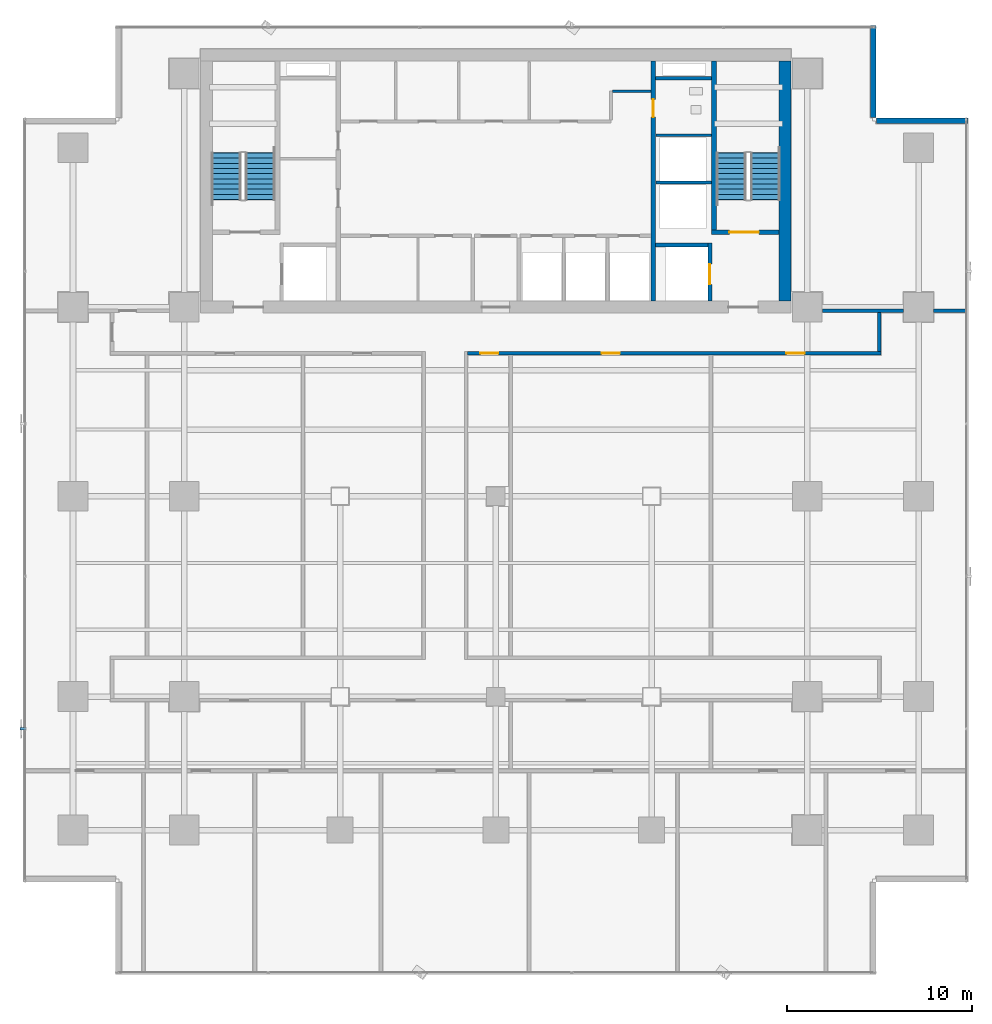
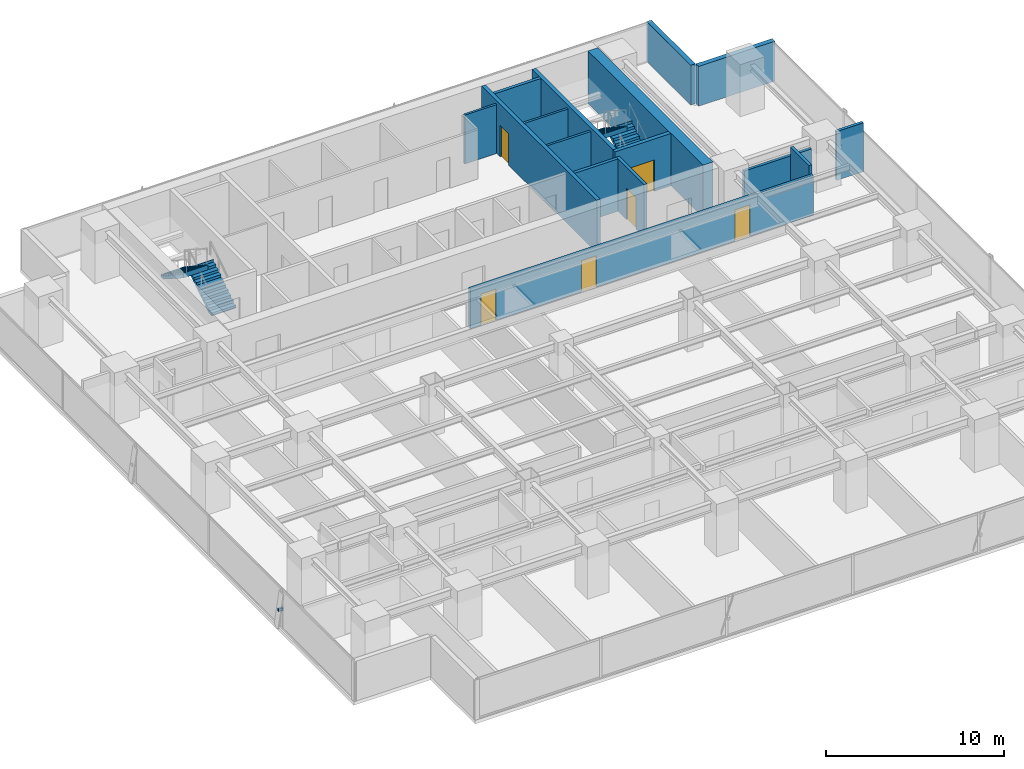
# One storey, part 30 of 37: 16 walls, 6 doors, 4 stair flights, 1 discrete accessory, 6 openings, 2 elements without a shape of their own.
"""IFC4 building model written with IfcOpenShell, lengths in metres."""

from ifc_helpers import new_model, si_unit, direction, frame, frame_2d, origin, origin_2d, place, context, subcontext, project, spatial, polyline, rectangle, outline, extrude, source, transform, mapped, material, layer, layer_set, material_profile, profile_set, type_object, element, fill, aggregate, save


model = new_model("IFC4")

# Units and contexts
model_context = context("Model", 3, precision=1e-05, world=origin(), true_north=direction((0.0, 1.0)))
body_context = subcontext(model_context, "Body", "Model", "MODEL_VIEW")
ifc_project = project(units=[si_unit("LENGTHUNIT", "METRE"), si_unit("AREAUNIT", "SQUARE_METRE"), si_unit("VOLUMEUNIT", "CUBIC_METRE"), si_unit("PLANEANGLEUNIT", "RADIAN"), si_unit("MASSUNIT", "GRAM", prefix="KILO")], contexts=[model_context])

# Site, building, storey
site_placement = place(None, origin())
site = spatial("IfcSite", under=ifc_project, at=site_placement, CompositionType="ELEMENT")
building_placement = place(site_placement, origin())
building = spatial("IfcBuilding", under=site, at=building_placement, Name="Sumidabori Civic Tower", CompositionType="ELEMENT")
storey_placement = place(building_placement, frame((0.0, 0.0, 117.199951171875)))
storey = spatial("IfcBuildingStorey", under=building, at=storey_placement, Name="L30", CompositionType="ELEMENT", Elevation=117.199951171875)

# Walls
ifc_material_1 = material(Name="Concrete C50/60", Category="concrete")
ifc_layer_1 = layer(ifc_material_1, 0.199951171875, Name="Concrete C50/60")
ifc_layer_set_1 = layer_set([ifc_layer_1], Name="Concrete C50/60")
wall_type_1 = type_object("IfcWallType", Name="WL-SHAFT-200", PredefinedType="SHEAR", material=ifc_layer_set_1)
shared_shape_1 = source(origin(), body_context, "Body", "SweptSolid", [
    extrude(rectangle(XDim=2.824951171875, YDim=0.199951171875, at=frame_2d((1.41259765625, 0.0))), origin(), (0.0, 0.0, 1.0), 3.60009765625),
])
wall_1_placement = place(storey_placement, frame((8.625, 13.550048828125, 0.0), z_axis=(0.0, 0.0, 1.0), x_axis=(1.0, 0.0, 0.0)))
element("IfcWall", 1, at=wall_1_placement, inside=storey, type_object=wall_type_1, Name="Core Shear Wall L30 EL2-N", PredefinedType="SHEAR", context=body_context, shape_type="MappedRepresentation", body=[
    mapped(shared_shape_1, transform((0.0, 0.0, 0.0), x_axis=(1.0, 0.0, 0.0), y_axis=(0.0, 1.0, 0.0), z_axis=(0.0, 0.0, 1.0), scale=1.0)),
])
shared_shape_2 = source(origin(), body_context, "Body", "SweptSolid", [
    extrude(rectangle(XDim=3.02001953125, YDim=0.199951171875, at=frame_2d((1.510009765625, 0.0))), origin(), (0.0, 0.0, 1.0), 3.60009765625),
])
wall_2_placement = place(storey_placement, frame((8.625, 22.550048828125, 0.0), z_axis=(0.0, 0.0, 1.0), x_axis=(1.0, 0.0, 0.0)))
element("IfcWall", 2, at=wall_2_placement, inside=storey, type_object=wall_type_1, Name="Core Shear Wall L30 RIS2-S", PredefinedType="SHEAR", context=body_context, shape_type="MappedRepresentation", body=[
    mapped(shared_shape_2, transform((0.0, 0.0, 0.0), x_axis=(1.0, 0.0, 0.0), y_axis=(0.0, 1.0, 0.0), z_axis=(0.0, 0.0, 1.0), scale=1.0)),
])
ifc_material_2 = material(Name="Concrete C60/75", Category="concrete")
ifc_layer_2 = layer(ifc_material_2, 0.64990234375, Name="Concrete C60/75")
ifc_layer_set_2 = layer_set([ifc_layer_2], Name="Concrete C60/75")
wall_type_2 = type_object("IfcWallType", Name="WL-CORE-650", PredefinedType="SHEAR", material=ifc_layer_set_2)
shared_shape_3 = source(origin(), body_context, "Body", "SweptSolid", [
    extrude(rectangle(XDim=12.9501953125, YDim=0.64990234375, at=frame_2d((6.47509765625, 0.0))), origin(), (0.0, 0.0, 1.0), 3.60009765625),
])
wall_3_placement = place(storey_placement, frame((15.60009765625, 10.52490234375, 0.0), z_axis=(0.0, 0.0, 1.0), x_axis=(0.0, 1.0, 0.0)))
element("IfcWall", 3, at=wall_3_placement, inside=storey, type_object=wall_type_2, Name="Core Shear Wall L30 E", PredefinedType="SHEAR", context=body_context, shape_type="MappedRepresentation", body=[
    mapped(shared_shape_3, transform((0.0, 0.0, 0.0), x_axis=(1.0, 0.0, 0.0), y_axis=(0.0, 1.0, 0.0), z_axis=(0.0, 0.0, 1.0), scale=1.0)),
])

# Wall, opening, door
ifc_layer_3 = layer(ifc_material_1, 0.25, Name="Concrete C50/60")
ifc_layer_set_3 = layer_set([ifc_layer_3], Name="Concrete C50/60")
wall_type_3 = type_object("IfcWallType", Name="WL-SHAFT-250", PredefinedType="SHEAR", material=ifc_layer_set_3)
shared_shape_4 = source(origin(), body_context, "Body", "SweptSolid", [
    extrude(rectangle(XDim=12.9501953125, YDim=0.25, at=frame_2d((6.47509765625, 0.0))), origin(), (0.0, 0.0, 1.0), 3.60009765625),
])
wall_4_placement = place(storey_placement, frame((8.5, 10.52490234375, 0.0), z_axis=(0.0, 0.0, 1.0), x_axis=(0.0, 1.0, 0.0)))
wall_4 = element("IfcWall", 4, at=wall_4_placement, inside=storey, type_object=wall_type_3, Name="Core Shear Wall L30 WEB-E", PredefinedType="SHEAR", context=body_context, shape_type="MappedRepresentation", body=[
    mapped(shared_shape_4, transform((0.0, 0.0, 0.0), x_axis=(1.0, 0.0, 0.0), y_axis=(0.0, 1.0, 0.0), z_axis=(0.0, 0.0, 1.0), scale=1.0)),
])
opening_1_placement = place(wall_4_placement, frame((9.925048828125, 0.0, 0.0)))
opening_1 = element("IfcOpeningElement", 5, at=opening_1_placement, cuts=wall_4, Name="Opening DR-2", PredefinedType="OPENING", context=body_context, shape_type="SweptSolid", body=[
    extrude(rectangle(XDim=0.949951171875, YDim=2.14990234375, at=frame_2d((0.47509765625, 1.074951171875))), frame((0.0, 0.136962890625, 0.0), z_axis=(0.0, -1.0, 0.0), x_axis=(1.0, 0.0, 0.0)), (0.0, 0.0, 1.0), 0.27392578125),
])
ifc_material_3 = material(Name="Japanese Hinoki Timber", Category="wood")
door_type_1 = type_object("IfcDoorType", Name="DR-INT-950", OperationType="NOTDEFINED", PredefinedType="DOOR", material=ifc_material_3)
shared_shape_5 = source(origin(), body_context, "Body", "SweptSolid", [
    extrude(rectangle(XDim=0.949951171875, YDim=2.14990234375, at=frame_2d((0.47509765625, 1.074951171875))), frame((0.0, 0.02490234375, 0.0), z_axis=(0.0, -1.0, 0.0), x_axis=(1.0, 0.0, 0.0)), (0.0, 0.0, 1.0), 0.050048828125),
])
door_1_placement = place(opening_1_placement, origin())
door_1 = element("IfcDoor", 6, at=door_1_placement, inside=storey, type_object=door_type_1, Name="Door DR:L30:WC-ACC", OperationType="SINGLE_SWING_RIGHT", OverallHeight=2.14990234375, OverallWidth=0.949951171875, PredefinedType="DOOR", context=body_context, shape_type="MappedRepresentation", body=[
    mapped(shared_shape_5, transform((0.0, 0.0, 0.0), x_axis=(1.0, 0.0, 0.0), y_axis=(0.0, 1.0, 0.0), z_axis=(0.0, 0.0, 1.0), scale=1.0)),
])
fill(opening_1, door_1)

shared_shape_6 = source(origin(), body_context, "Body", "SweptSolid", [
    extrude(rectangle(XDim=3.6298828125, YDim=0.25, at=frame_2d((1.81494140625, 0.0))), origin(), (0.0, 0.0, 1.0), 3.60009765625),
])
wall_5_placement = place(storey_placement, frame((11.64501953125, 14.25, 0.0), z_axis=(0.0, 0.0, 1.0), x_axis=(1.0, 0.0, 0.0)))
wall_5 = element("IfcWall", 7, at=wall_5_placement, inside=storey, type_object=wall_type_3, Name="Core Shear Wall L30 ST2-S", PredefinedType="SHEAR", context=body_context, shape_type="MappedRepresentation", body=[
    mapped(shared_shape_6, transform((0.0, 0.0, 0.0), x_axis=(1.0, 0.0, 0.0), y_axis=(0.0, 1.0, 0.0), z_axis=(0.0, 0.0, 1.0), scale=1.0)),
])
opening_2_placement = place(wall_5_placement, frame((0.949951171875, 0.0, 0.0)))
opening_2 = element("IfcOpeningElement", 8, at=opening_2_placement, cuts=wall_5, Name="Opening DR-FD4", PredefinedType="OPENING", context=body_context, shape_type="SweptSolid", body=[
    extrude(rectangle(XDim=1.60009765625, YDim=2.14990234375, at=frame_2d((0.800048828125, 1.074951171875))), frame((0.0, 0.136962890625, 0.0), z_axis=(0.0, -1.0, 0.0), x_axis=(1.0, 0.0, 0.0)), (0.0, 0.0, 1.0), 0.27392578125),
])
ifc_material_4 = material(Name="Steel SN490", Category="steel")
door_type_2 = type_object("IfcDoorType", Name="DR-FD4", OperationType="DOUBLE_DOOR_SINGLE_SWING", PredefinedType="DOOR", material=ifc_material_4)
shared_shape_7 = source(origin(), body_context, "Body", "SweptSolid", [
    extrude(rectangle(XDim=1.60009765625, YDim=2.14990234375, at=frame_2d((0.800048828125, 1.074951171875))), frame((0.0, 0.02490234375, 0.0), z_axis=(0.0, -1.0, 0.0), x_axis=(1.0, 0.0, 0.0)), (0.0, 0.0, 1.0), 0.050048828125),
])
door_2_placement = place(opening_2_placement, origin())
door_2 = element("IfcDoor", 9, at=door_2_placement, inside=storey, type_object=door_type_2, Name="Door DR:L30:ST2", OperationType="DOUBLE_DOOR_SINGLE_SWING", OverallHeight=2.14990234375, OverallWidth=1.60009765625, PredefinedType="DOOR", context=body_context, shape_type="MappedRepresentation", body=[
    mapped(shared_shape_7, transform((0.0, 0.0, 0.0), x_axis=(1.0, 0.0, 0.0), y_axis=(0.0, 1.0, 0.0), z_axis=(0.0, 0.0, 1.0), scale=1.0)),
])
fill(opening_2, door_2)

# Wall
shared_shape_8 = source(origin(), body_context, "Body", "SweptSolid", [
    extrude(rectangle(XDim=9.10009765625, YDim=0.25, at=frame_2d((4.550048828125, 0.0))), origin(), (0.0, 0.0, 1.0), 3.60009765625),
])
wall_6_placement = place(storey_placement, frame((11.77001953125, 14.375, 0.0), z_axis=(0.0, 0.0, 1.0), x_axis=(0.0, 1.0, 0.0)))
element("IfcWall", 10, at=wall_6_placement, inside=storey, type_object=wall_type_3, Name="Core Shear Wall L30 ST2-W", PredefinedType="SHEAR", context=body_context, shape_type="MappedRepresentation", body=[
    mapped(shared_shape_8, transform((0.0, 0.0, 0.0), x_axis=(1.0, 0.0, 0.0), y_axis=(0.0, 1.0, 0.0), z_axis=(0.0, 0.0, 1.0), scale=1.0)),
])

# Wall, opening, door
shared_shape_9 = source(origin(), body_context, "Body", "SweptSolid", [
    extrude(rectangle(XDim=3.125, YDim=0.199951171875, at=frame_2d((1.5625, 0.0))), origin(), (0.0, 0.0, 1.0), 3.60009765625),
])
wall_7_placement = place(storey_placement, frame((11.550048828125, 10.52490234375, 0.0), z_axis=(0.0, 0.0, 1.0), x_axis=(0.0, 1.0, 0.0)))
wall_7 = element("IfcWall", 11, at=wall_7_placement, inside=storey, type_object=wall_type_1, Name="Core Shear Wall L30 EL2-E", PredefinedType="SHEAR", context=body_context, shape_type="MappedRepresentation", body=[
    mapped(shared_shape_9, transform((0.0, 0.0, 0.0), x_axis=(1.0, 0.0, 0.0), y_axis=(0.0, 1.0, 0.0), z_axis=(0.0, 0.0, 1.0), scale=1.0)),
])
opening_3_placement = place(wall_7_placement, frame((0.89990234375, 0.0, 0.0)))
opening_3 = element("IfcOpeningElement", 12, at=opening_3_placement, cuts=wall_7, Name="Opening LD-2", PredefinedType="OPENING", context=body_context, shape_type="SweptSolid", body=[
    extrude(rectangle(XDim=1.10009765625, YDim=2.14990234375, at=frame_2d((0.550048828125, 1.074951171875))), frame((0.0, 0.11181640625, 0.0), z_axis=(0.0, -1.0, 0.0), x_axis=(1.0, 0.0, 0.0)), (0.0, 0.0, 1.0), 0.223876953125),
])
ifc_material_5 = material(Name="Stainless Steel Hairline Finish", Category="steel")
door_type_3 = type_object("IfcDoorType", Name="DR-LD2", OperationType="DOUBLE_DOOR_SLIDING", PredefinedType="DOOR", material=ifc_material_5)
shared_shape_10 = source(origin(), body_context, "Body", "SweptSolid", [
    extrude(rectangle(XDim=1.10009765625, YDim=2.14990234375, at=frame_2d((0.550048828125, 1.074951171875))), frame((0.0, 0.02490234375, 0.0), z_axis=(0.0, -1.0, 0.0), x_axis=(1.0, 0.0, 0.0)), (0.0, 0.0, 1.0), 0.050048828125),
])
door_3_placement = place(opening_3_placement, origin())
door_3 = element("IfcDoor", 13, at=door_3_placement, inside=storey, type_object=door_type_3, Name="Door DR:L30:LD-EL2", OperationType="DOUBLE_DOOR_SLIDING", OverallHeight=2.14990234375, OverallWidth=1.10009765625, PredefinedType="DOOR", context=body_context, shape_type="MappedRepresentation", body=[
    mapped(shared_shape_10, transform((0.0, 0.0, 0.0), x_axis=(1.0, 0.0, 0.0), y_axis=(0.0, 1.0, 0.0), z_axis=(0.0, 0.0, 1.0), scale=1.0)),
])
fill(opening_3, door_3)

# Walls
ifc_material_6 = material(Name="Precast concrete C40/50", Category="concrete")
ifc_layer_4 = layer(ifc_material_6, 0.300048828125, Name="Precast concrete C40/50")
ifc_layer_set_4 = layer_set([ifc_layer_4], Name="Precast concrete C40/50")
wall_type_4 = type_object("IfcWallType", Name="WL-EXT-POD300", PredefinedType="STANDARD", material=ifc_layer_set_4)
shared_shape_11 = source(origin(), body_context, "Body", "SweptSolid", [
    extrude(rectangle(XDim=4.9599609375, YDim=0.300048828125, at=frame_2d((2.47998046875, 0.0))), origin(), (0.0, 0.0, 1.0), 2.739990234375),
])
for number, where, z_axis, x_axis, name in (
    (14, (25.47998046875, 20.25, 0.0), (0.0, 0.0, 1.0), (-1.0, 0.0, 0.0), "Notched Corner Spandrel Band L30-05"),
    (15, (20.35009765625, 20.419921875, 0.0), (0.0, 0.0, 1.0), (0.0, 1.0, 0.0), "Notched Corner Spandrel Band L30-06"),
):
    element("IfcWall", number, at=place(storey_placement, frame(where, z_axis=z_axis, x_axis=x_axis)), inside=storey, type_object=wall_type_4, Name=name, PredefinedType="STANDARD", context=body_context, shape_type="MappedRepresentation", body=[
        mapped(shared_shape_11, transform((0.0, 0.0, 0.0), x_axis=(1.0, 0.0, 0.0), y_axis=(0.0, 1.0, 0.0), z_axis=(0.0, 0.0, 1.0), scale=1.0)),
    ])
ifc_material_7 = material(Name="Gypsum Plasterboard Acoustic Partition")
ifc_layer_5 = layer(ifc_material_7, 0.14990234375, Name="Gypsum Plasterboard Acoustic Partition")
ifc_layer_set_5 = layer_set([ifc_layer_5], Name="Gypsum Plasterboard Acoustic Partition")
wall_type_5 = type_object("IfcWallType", Name="WL-PART-150", PredefinedType="PARTITIONING", material=ifc_layer_set_5)
shared_shape_12 = source(origin(), body_context, "Body", "SweptSolid", [
    extrude(rectangle(XDim=3.010009765625, YDim=0.14990234375, at=frame_2d((1.5048828125, 0.0))), origin(), (0.0, 0.0, 1.0), 3.360107421875),
])
for number, where, z_axis, x_axis, name in (
    (16, (8.6298828125, 16.919921875, 0.0), (0.0, 0.0, 1.0), (1.0, 0.0, 0.0), "Interior Partition WL:L30:DIV-OBS1"),
    (17, (8.6298828125, 19.469970703125, 0.0), (0.0, 0.0, 1.0), (1.0, 0.0, 0.0), "Interior Partition WL:L30:DIV-OBS2"),
):
    element("IfcWall", number, at=place(storey_placement, frame(where, z_axis=z_axis, x_axis=x_axis)), inside=storey, type_object=wall_type_5, Name=name, PredefinedType="PARTITIONING", context=body_context, shape_type="MappedRepresentation", body=[
        mapped(shared_shape_12, transform((0.0, 0.0, 0.0), x_axis=(1.0, 0.0, 0.0), y_axis=(0.0, 1.0, 0.0), z_axis=(0.0, 0.0, 1.0), scale=1.0)),
    ])
shared_shape_13 = source(origin(), body_context, "Body", "SweptSolid", [
    extrude(rectangle(XDim=2.070068359375, YDim=0.14990234375, at=frame_2d((1.03515625, 0.0))), origin(), (0.0, 0.0, 1.0), 3.360107421875),
])
wall_8_placement = place(storey_placement, frame((6.300048828125, 21.85009765625, 0.0), z_axis=(0.0, 0.0, 1.0), x_axis=(1.0, 0.0, 0.0)))
element("IfcWall", 18, at=wall_8_placement, inside=storey, type_object=wall_type_5, Name="Interior Partition WL:L30:CBAND-ME2", PredefinedType="PARTITIONING", context=body_context, shape_type="MappedRepresentation", body=[
    mapped(shared_shape_13, transform((0.0, 0.0, 0.0), x_axis=(1.0, 0.0, 0.0), y_axis=(0.0, 1.0, 0.0), z_axis=(0.0, 0.0, 1.0), scale=1.0)),
])
ifc_layer_6 = layer(ifc_material_7, 0.179931640625, Name="Gypsum Plasterboard Acoustic Partition")
ifc_layer_set_6 = layer_set([ifc_layer_6], Name="Gypsum Plasterboard Acoustic Partition")
wall_type_6 = type_object("IfcWallType", Name="WL-PART-180", PredefinedType="PARTITIONING", material=ifc_layer_set_6)
shared_shape_14 = source(origin(), body_context, "Body", "SweptSolid", [
    extrude(rectangle(XDim=1.739990234375, YDim=0.179931640625, at=frame_2d((0.8701171875, 0.0))), origin(), (0.0, 0.0, 1.0), 3.360107421875),
])
wall_9_placement = place(storey_placement, frame((23.610107421875, 10.0, 0.0), z_axis=(0.0, 0.0, 1.0), x_axis=(1.0, 0.0, 0.0)))
element("IfcWall", 19, at=wall_9_placement, inside=storey, type_object=wall_type_6, Name="Interior Partition WL:L30:FLK-NE-2", PredefinedType="PARTITIONING", context=body_context, shape_type="MappedRepresentation", body=[
    mapped(shared_shape_14, transform((0.0, 0.0, 0.0), x_axis=(1.0, 0.0, 0.0), y_axis=(0.0, 1.0, 0.0), z_axis=(0.0, 0.0, 1.0), scale=1.0)),
])
shared_shape_15 = source(origin(), body_context, "Body", "SweptSolid", [
    extrude(rectangle(XDim=4.3798828125, YDim=0.179931640625, at=frame_2d((2.18994140625, 0.0))), origin(), (0.0, 0.0, 1.0), 2.7451171875),
])
wall_10_placement = place(storey_placement, frame((17.610107421875, 10.0, 0.0), z_axis=(0.0, 0.0, 1.0), x_axis=(1.0, 0.0, 0.0)))
element("IfcWall", 20, at=wall_10_placement, inside=storey, type_object=wall_type_6, Name="Interior Partition WL:L30:FLK-NE-1", PredefinedType="PARTITIONING", context=body_context, shape_type="MappedRepresentation", body=[
    mapped(shared_shape_15, transform((0.0, 0.0, 0.0), x_axis=(1.0, 0.0, 0.0), y_axis=(0.0, 1.0, 0.0), z_axis=(0.0, 0.0, 1.0), scale=1.0)),
])

# Wall, openings, doors
shared_shape_16 = source(origin(), body_context, "Body", "SweptSolid", [
    extrude(rectangle(XDim=22.300048828125, YDim=0.179931640625, at=frame_2d((11.14990234375, 0.0))), origin(), (0.0, 0.0, 1.0), 2.7451171875),
])
wall_11_placement = place(storey_placement, frame((-1.52001953125, 7.7099609375, 0.0), z_axis=(0.0, 0.0, 1.0), x_axis=(1.0, 0.0, 0.0)))
wall_11 = element("IfcWall", 21, at=wall_11_placement, inside=storey, type_object=wall_type_6, Name="Interior Partition WL:L30:CORR-SE", PredefinedType="PARTITIONING", context=body_context, shape_type="MappedRepresentation", body=[
    mapped(shared_shape_16, transform((0.0, 0.0, 0.0), x_axis=(1.0, 0.0, 0.0), y_axis=(0.0, 1.0, 0.0), z_axis=(0.0, 0.0, 1.0), scale=1.0)),
])
opening_4_placement = place(wall_11_placement, frame((0.68505859375, 0.0, 0.0)))
opening_4 = element("IfcOpeningElement", 22, at=opening_4_placement, cuts=wall_11, Name="Opening DR-3", PredefinedType="OPENING", context=body_context, shape_type="SweptSolid", body=[
    extrude(rectangle(XDim=0.97998046875, YDim=2.14990234375, at=frame_2d((0.489990234375, 1.074951171875))), frame((0.0, 0.10205078125, 0.0), z_axis=(0.0, -1.0, 0.0), x_axis=(1.0, 0.0, 0.0)), (0.0, 0.0, 1.0), 0.203857421875),
])
opening_5_placement = place(wall_11_placement, frame((7.22998046875, 0.0, 0.0)))
opening_5 = element("IfcOpeningElement", 23, at=opening_5_placement, cuts=wall_11, Name="Opening DR-3", PredefinedType="OPENING", context=body_context, shape_type="SweptSolid", body=[
    extrude(rectangle(XDim=0.97998046875, YDim=2.14990234375, at=frame_2d((0.489990234375, 1.074951171875))), frame((0.0, 0.10205078125, 0.0), z_axis=(0.0, -1.0, 0.0), x_axis=(1.0, 0.0, 0.0)), (0.0, 0.0, 1.0), 0.203857421875),
])
opening_6_placement = place(wall_11_placement, frame((17.195068359375, 0.0, 0.0)))
opening_6 = element("IfcOpeningElement", 24, at=opening_6_placement, cuts=wall_11, Name="Opening DR-3", PredefinedType="OPENING", context=body_context, shape_type="SweptSolid", body=[
    extrude(rectangle(XDim=0.97998046875, YDim=2.14990234375, at=frame_2d((0.489990234375, 1.074951171875))), frame((0.0, 0.10205078125, 0.0), z_axis=(0.0, -1.0, 0.0), x_axis=(1.0, 0.0, 0.0)), (0.0, 0.0, 1.0), 0.203857421875),
])
door_type_4 = type_object("IfcDoorType", Name="DR-INT-980", OperationType="NOTDEFINED", PredefinedType="DOOR", material=ifc_material_3)
shared_shape_17 = source(origin(), body_context, "Body", "SweptSolid", [
    extrude(rectangle(XDim=0.97998046875, YDim=2.14990234375, at=frame_2d((0.489990234375, 1.074951171875))), frame((0.0, 0.02490234375, 0.0), z_axis=(0.0, -1.0, 0.0), x_axis=(1.0, 0.0, 0.0)), (0.0, 0.0, 1.0), 0.050048828125),
])
door_4_placement = place(opening_4_placement, origin())
door_4 = element("IfcDoor", 25, at=door_4_placement, inside=storey, type_object=door_type_4, Name="Door DR:L30:D04", OperationType="SINGLE_SWING_RIGHT", OverallHeight=2.14990234375, OverallWidth=0.97998046875, PredefinedType="DOOR", context=body_context, shape_type="MappedRepresentation", body=[
    mapped(shared_shape_17, transform((0.0, 0.0, 0.0), x_axis=(1.0, 0.0, 0.0), y_axis=(0.0, 1.0, 0.0), z_axis=(0.0, 0.0, 1.0), scale=1.0)),
])
fill(opening_4, door_4)
door_5_placement = place(opening_5_placement, origin())
door_5 = element("IfcDoor", 26, at=door_5_placement, inside=storey, type_object=door_type_4, Name="Door DR:L30:D05", OperationType="SINGLE_SWING_LEFT", OverallHeight=2.14990234375, OverallWidth=0.97998046875, PredefinedType="DOOR", context=body_context, shape_type="MappedRepresentation", body=[
    mapped(shared_shape_17, transform((0.0, 0.0, 0.0), x_axis=(1.0, 0.0, 0.0), y_axis=(0.0, 1.0, 0.0), z_axis=(0.0, 0.0, 1.0), scale=1.0)),
])
fill(opening_5, door_5)
door_6_placement = place(opening_6_placement, origin())
door_6 = element("IfcDoor", 27, at=door_6_placement, inside=storey, type_object=door_type_4, Name="Door DR:L30:D07", OperationType="SINGLE_SWING_LEFT", OverallHeight=2.14990234375, OverallWidth=0.97998046875, PredefinedType="DOOR", context=body_context, shape_type="MappedRepresentation", body=[
    mapped(shared_shape_17, transform((0.0, 0.0, 0.0), x_axis=(1.0, 0.0, 0.0), y_axis=(0.0, 1.0, 0.0), z_axis=(0.0, 0.0, 1.0), scale=1.0)),
])
fill(opening_6, door_6)

# Wall
shared_shape_18 = source(origin(), body_context, "Body", "SweptSolid", [
    extrude(rectangle(XDim=2.10009765625, YDim=0.179931640625, at=frame_2d((1.050048828125, 0.0))), origin(), (0.0, 0.0, 1.0), 3.360107421875),
])
wall_12_placement = place(storey_placement, frame((20.68994140625, 7.804931640625, 0.0), z_axis=(0.0, 0.0, 1.0), x_axis=(0.0, 1.0, 0.0)))
element("IfcWall", 28, at=wall_12_placement, inside=storey, type_object=wall_type_6, Name="Interior Partition WL:L30:CORR-VNE", PredefinedType="PARTITIONING", context=body_context, shape_type="MappedRepresentation", body=[
    mapped(shared_shape_18, transform((0.0, 0.0, 0.0), x_axis=(1.0, 0.0, 0.0), y_axis=(0.0, 1.0, 0.0), z_axis=(0.0, 0.0, 1.0), scale=1.0)),
])

# Stair, stair flights
ifc_material_8 = material(Name="Concrete C40/50", Category="concrete")
stair_type = type_object("IfcStairType", Name="ST-CORE-1600", PredefinedType="HALF_TURN_STAIR", material=ifc_material_8)
stair_1_placement = place(storey_placement, origin())
stair_1 = element("IfcStair", 29, at=stair_1_placement, inside=storey, type_object=stair_type, Name="L30 ST-1", PredefinedType="HALF_TURN_STAIR")
stair_flight_type = type_object("IfcStairFlightType", Name="SF-CORE-1600", PredefinedType="STRAIGHT", material=ifc_material_8)
shared_shape_19 = source(origin(), body_context, "Body", "SweptSolid", [
    extrude(outline(polyline([(-0.02490234375, 0.0), (-0.02490234375, 0.0400390625), (0.0, 0.0400390625), (0.0, 0.179931640625), (0.280029296875, 0.179931640625), (0.280029296875, 0.360107421875), (0.56005859375, 0.360107421875), (0.56005859375, 0.5400390625), (0.840087890625, 0.5400390625), (0.840087890625, 0.719970703125), (1.1201171875, 0.719970703125), (1.1201171875, 0.89990234375), (1.39990234375, 0.89990234375), (1.39990234375, 1.080078125), (1.679931640625, 1.080078125), (1.679931640625, 1.260009765625), (1.9599609375, 1.260009765625), (1.9599609375, 1.43994140625), (2.239990234375, 1.43994140625), (2.239990234375, 1.6201171875), (2.52001953125, 1.6201171875), (2.52001953125, 1.800048828125), (2.544921875, 1.800048828125), (2.544921875, 1.650146484375), (2.52001953125, 1.44189453125), (0.277099609375, 0.0), (-0.02490234375, 0.0)])), frame((0.0, 0.800048828125, 0.0), z_axis=(0.0, -1.0, 0.0), x_axis=(1.0, 0.0, 0.0)), (0.0, 0.0, 1.0), 1.60009765625),
])
stair_flight_1_placement = place(storey_placement, frame((-12.699951171875, 16.0, 0.0), z_axis=(0.0, 0.0, 1.0), x_axis=(0.0, 1.0, 0.0)))
stair_flight_1 = element("IfcStairFlight", 30, at=stair_flight_1_placement, type_object=stair_flight_type, Name="ST-1 flight 1", NumberOfRisers=10, NumberOfTreads=9, PredefinedType="STRAIGHT", RiserHeight=0.18, TreadLength=0.28, context=body_context, shape_type="MappedRepresentation", body=[
    mapped(shared_shape_19, transform((0.0, 0.0, 0.0), x_axis=(1.0, 0.0, 0.0), y_axis=(0.0, 1.0, 0.0), z_axis=(0.0, 0.0, 1.0), scale=1.0)),
])
stair_flight_2_placement = place(storey_placement, frame((-14.5400390625, 18.52001953125, 1.800048828125), z_axis=(0.0, 0.0, 1.0), x_axis=(0.0, -1.0, 0.0)))
stair_flight_2 = element("IfcStairFlight", 31, at=stair_flight_2_placement, type_object=stair_flight_type, Name="ST-1 flight 2", NumberOfRisers=10, NumberOfTreads=9, PredefinedType="STRAIGHT", RiserHeight=0.18, TreadLength=0.28, context=body_context, shape_type="MappedRepresentation", body=[
    mapped(shared_shape_19, transform((0.0, 0.0, 0.0), x_axis=(1.0, 0.0, 0.0), y_axis=(0.0, 1.0, 0.0), z_axis=(0.0, 0.0, 1.0), scale=1.0)),
])
aggregate(stair_1, [stair_flight_1, stair_flight_2])

stair_2_placement = place(storey_placement, origin())
stair_2 = element("IfcStair", 32, at=stair_2_placement, inside=storey, type_object=stair_type, Name="L30 ST-2", PredefinedType="HALF_TURN_STAIR")
stair_flight_3_placement = place(storey_placement, frame((14.5400390625, 16.0, 0.0), z_axis=(0.0, 0.0, 1.0), x_axis=(0.0, 1.0, 0.0)))
stair_flight_3 = element("IfcStairFlight", 33, at=stair_flight_3_placement, type_object=stair_flight_type, Name="ST-2 flight 1", NumberOfRisers=10, NumberOfTreads=9, PredefinedType="STRAIGHT", RiserHeight=0.18, TreadLength=0.28, context=body_context, shape_type="MappedRepresentation", body=[
    mapped(shared_shape_19, transform((0.0, 0.0, 0.0), x_axis=(1.0, 0.0, 0.0), y_axis=(0.0, 1.0, 0.0), z_axis=(0.0, 0.0, 1.0), scale=1.0)),
])
stair_flight_4_placement = place(storey_placement, frame((12.699951171875, 18.52001953125, 1.800048828125), z_axis=(0.0, 0.0, 1.0), x_axis=(0.0, -1.0, 0.0)))
stair_flight_4 = element("IfcStairFlight", 34, at=stair_flight_4_placement, type_object=stair_flight_type, Name="ST-2 flight 2", NumberOfRisers=10, NumberOfTreads=9, PredefinedType="STRAIGHT", RiserHeight=0.18, TreadLength=0.28, context=body_context, shape_type="MappedRepresentation", body=[
    mapped(shared_shape_19, transform((0.0, 0.0, 0.0), x_axis=(1.0, 0.0, 0.0), y_axis=(0.0, 1.0, 0.0), z_axis=(0.0, 0.0, 1.0), scale=1.0)),
])
aggregate(stair_2, [stair_flight_3, stair_flight_4])

# Discrete accessory
ifc_material_profile = material_profile(ifc_material_5, rectangle(XDim=0.1201171875, YDim=0.179931640625, at=origin_2d()), Name="STEEL BRACKET 180x120")
ifc_profile_set = profile_set([ifc_material_profile], Name="Stainless Steel Hairline Finish")
discrete_accessory_type = type_object("IfcDiscreteAccessoryType", Name="AC-BRK-180", PredefinedType="BRACKET", material=ifc_profile_set)
shared_shape_20 = source(origin(), body_context, "Body", "SweptSolid", [
    extrude(rectangle(XDim=0.1201171875, YDim=0.179931640625, at=origin_2d()), origin(), (0.0, 0.0, 1.0), 0.329833984375),
])
discrete_accessory_placement = place(storey_placement, frame((-25.330078125, -12.5419921875, 1.360107421875), z_axis=(-1.0, 0.0, 0.0), x_axis=(0.0, -1.0, 0.0)))
element("IfcDiscreteAccessory", 35, at=discrete_accessory_placement, inside=storey, type_object=discrete_accessory_type, Name="Bronze Fin Fixing Bracket L30-04", PredefinedType="BRACKET", context=body_context, shape_type="MappedRepresentation", body=[
    mapped(shared_shape_20, transform((0.0, 0.0, 0.0), x_axis=(1.0, 0.0, 0.0), y_axis=(0.0, 1.0, 0.0), z_axis=(0.0, 0.0, 1.0), scale=1.0)),
])

save(model, "model.ifc")
